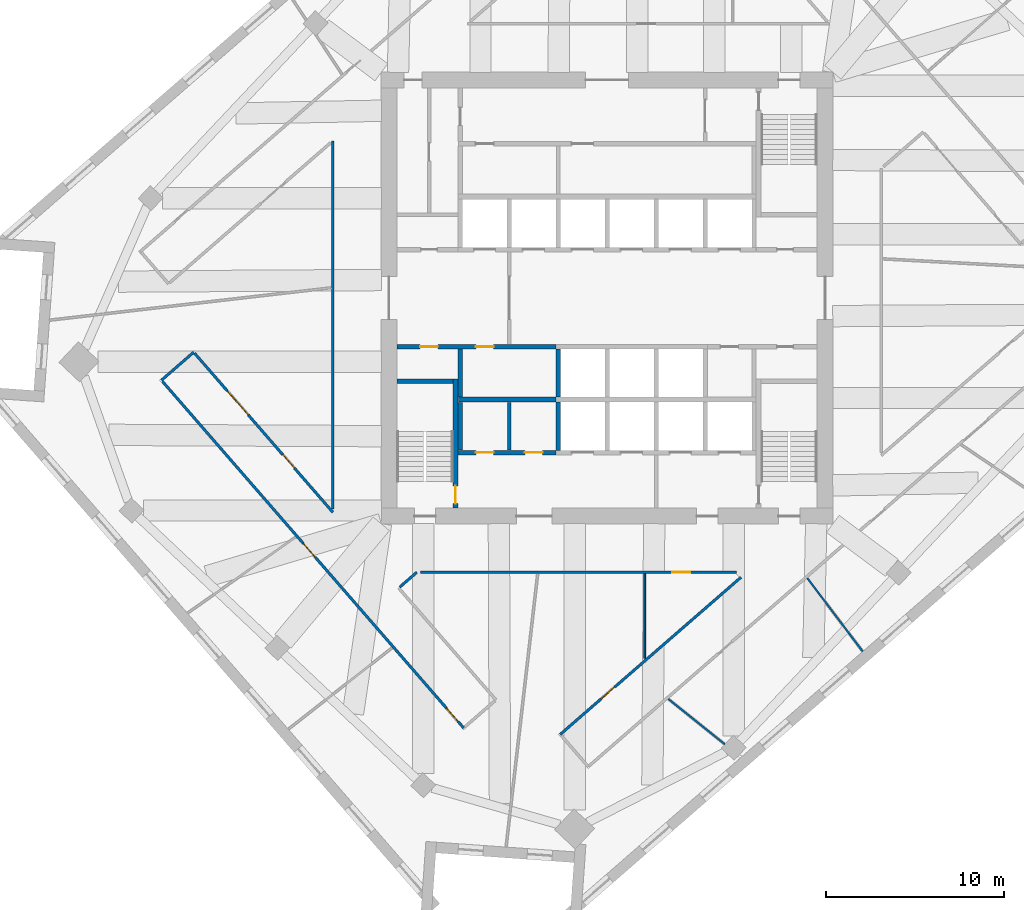
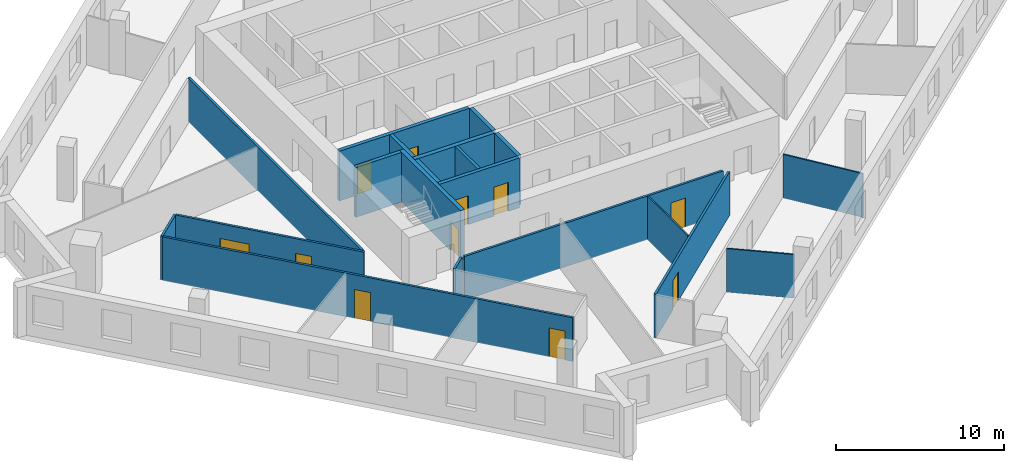
# One storey, part 4 of 11: 20 walls, 11 doors, 11 openings.
"""IFC4 building model written with IfcOpenShell, lengths in metres."""

from ifc_helpers import new_model, si_unit, direction, frame, frame_2d, origin, place, context, subcontext, project, spatial, rectangle, extrude, material, layer, layer_set, type_object, element, fill, save


model = new_model("IFC4")

# Units and contexts
model_context = context("Model", 3, precision=1e-05, world=origin(), true_north=direction((0.0, 1.0)))
body_context = subcontext(model_context, "Body", "Model", "MODEL_VIEW")
ifc_project = project(units=[si_unit("LENGTHUNIT", "METRE"), si_unit("AREAUNIT", "SQUARE_METRE"), si_unit("VOLUMEUNIT", "CUBIC_METRE"), si_unit("PLANEANGLEUNIT", "RADIAN"), si_unit("MASSUNIT", "GRAM", prefix="KILO")], contexts=[model_context])

# Site, building, storey
site_placement = place(None, origin())
site = spatial("IfcSite", under=ifc_project, at=site_placement, CompositionType="ELEMENT")
building_placement = place(site_placement, origin())
building = spatial("IfcBuilding", under=site, at=building_placement, Name="Dilmun Exchange Tower", CompositionType="ELEMENT")
storey_placement = place(building_placement, frame((0.0, 0.0, 193.300048828125)))
storey = spatial("IfcBuildingStorey", under=building, at=storey_placement, Name="L45", CompositionType="ELEMENT", Elevation=193.300048828125)

# Wall
ifc_material_1 = material(Name="Concrete C40/50", Category="concrete")
ifc_layer_1 = layer(ifc_material_1, 0.199951171875)
ifc_layer_set_1 = layer_set([ifc_layer_1], Name="Concrete C40/50")
wall_type_1 = type_object("IfcWallType", Name="Core partition wall 200", PredefinedType="PARTITIONING", material=ifc_layer_set_1)
wall_1_placement = place(storey_placement, frame((-5.5, -8.544921875, 0.0), z_axis=(0.0, 0.0, 1.0), x_axis=(0.0, 1.0, 0.0)))
element("IfcWall", 1, at=wall_1_placement, inside=storey, type_object=wall_type_1, Name="L45 core partition wall 04", PredefinedType="PARTITIONING", context=body_context, shape_type="SweptSolid", body=[
    extrude(rectangle(XDim=2.68994140625, YDim=0.199951171875, at=frame_2d((1.344970703125, 0.0))), origin(), (0.0, 0.0, 1.0), 3.619873046875),
])

# Wall, openings, doors
ifc_layer_2 = layer(ifc_material_1, 0.25)
ifc_layer_set_2 = layer_set([ifc_layer_2], Name="Concrete C40/50")
wall_type_2 = type_object("IfcWallType", Name="Core partition wall 250", PredefinedType="PARTITIONING", material=ifc_layer_set_2)
wall_2_placement = place(storey_placement, frame((-8.3701171875, -8.675048828125, 0.0), z_axis=(0.0, 0.0, 1.0), x_axis=(1.0, 0.0, 0.0)))
wall_2 = element("IfcWall", 2, at=wall_2_placement, inside=storey, type_object=wall_type_2, Name="L45 core partition wall 02", PredefinedType="PARTITIONING", context=body_context, shape_type="SweptSolid", body=[
    extrude(rectangle(XDim=5.490234375, YDim=0.25, at=frame_2d((2.7451171875, 0.0))), origin(), (0.0, 0.0, 1.0), 3.619873046875),
])
opening_1_placement = place(wall_2_placement, frame((0.9951171875, 0.0, 0.0)))
opening_1 = element("IfcOpeningElement", 3, at=opening_1_placement, cuts=wall_2, Name="Opening CD4", PredefinedType="OPENING", context=body_context, shape_type="SweptSolid", body=[
    extrude(rectangle(XDim=1.0, YDim=2.10009765625, at=frame_2d((0.5, 1.050048828125))), frame((0.0, 0.135009765625, 0.0), z_axis=(0.0, -1.0, 0.0), x_axis=(1.0, 0.0, 0.0)), (0.0, 0.0, 1.0), 0.27001953125),
])
opening_2_placement = place(wall_2_placement, frame((3.7451171875, 0.0, 0.0)))
opening_2 = element("IfcOpeningElement", 4, at=opening_2_placement, cuts=wall_2, Name="Opening CD4", PredefinedType="OPENING", context=body_context, shape_type="SweptSolid", body=[
    extrude(rectangle(XDim=1.0, YDim=2.10009765625, at=frame_2d((0.5, 1.050048828125))), frame((0.0, 0.135009765625, 0.0), z_axis=(0.0, -1.0, 0.0), x_axis=(1.0, 0.0, 0.0)), (0.0, 0.0, 1.0), 0.27001953125),
])
ifc_material_2 = material(Name="Fire-rated steel door set", Category="steel")
door_type_1 = type_object("IfcDoorType", Name="Core room door 1000x2100", OperationType="SINGLE_SWING_LEFT", PredefinedType="DOOR", material=ifc_material_2)
door_1_placement = place(opening_1_placement, origin())
door_1 = element("IfcDoor", 5, at=door_1_placement, inside=storey, type_object=door_type_1, Name="L45 door Male WC", OperationType="SINGLE_SWING_RIGHT", OverallHeight=2.10009765625, OverallWidth=1.0, PredefinedType="DOOR", context=body_context, shape_type="SweptSolid", body=[
    extrude(rectangle(XDim=1.0, YDim=2.10009765625, at=frame_2d((0.5, 1.050048828125))), frame((0.0, 0.02490234375, 0.0), z_axis=(0.0, -1.0, 0.0), x_axis=(1.0, 0.0, 0.0)), (0.0, 0.0, 1.0), 0.050048828125),
])
fill(opening_1, door_1)
door_2_placement = place(opening_2_placement, origin())
door_2 = element("IfcDoor", 6, at=door_2_placement, inside=storey, type_object=door_type_1, Name="L45 door Female WC", OperationType="SINGLE_SWING_RIGHT", OverallHeight=2.10009765625, OverallWidth=1.0, PredefinedType="DOOR", context=body_context, shape_type="SweptSolid", body=[
    extrude(rectangle(XDim=1.0, YDim=2.10009765625, at=frame_2d((0.5, 1.050048828125))), frame((0.0, 0.02490234375, 0.0), z_axis=(0.0, -1.0, 0.0), x_axis=(1.0, 0.0, 0.0)), (0.0, 0.0, 1.0), 0.050048828125),
])
fill(opening_2, door_2)

# Walls
for number, where, z_axis, x_axis, name in (
    (7, (-8.25, -8.544921875, 0.0), (0.0, 0.0, 1.0), (0.0, 1.0, 0.0), "L45 core partition wall 03"),
    (8, (-8.25, -5.544921875, 0.0), (0.0, 0.0, 1.0), (0.0, 1.0, 0.0), "L45 core partition wall 06"),
):
    element("IfcWall", number, at=place(storey_placement, frame(where, z_axis=z_axis, x_axis=x_axis)), inside=storey, type_object=wall_type_2, Name=name, PredefinedType="PARTITIONING", context=body_context, shape_type="SweptSolid", body=[
        extrude(rectangle(XDim=2.68994140625, YDim=0.25, at=frame_2d((1.344970703125, 0.0))), origin(), (0.0, 0.0, 1.0), 3.619873046875),
    ])

# Wall, openings, doors
wall_3_placement = place(storey_placement, frame((-11.794921875, -2.72509765625, 0.0), z_axis=(0.0, 0.0, 1.0), x_axis=(1.0, 0.0, 0.0)))
wall_3 = element("IfcWall", 9, at=wall_3_placement, inside=storey, type_object=wall_type_2, Name="L45 core partition wall 08", PredefinedType="PARTITIONING", context=body_context, shape_type="SweptSolid", body=[
    extrude(rectangle(XDim=8.9150390625, YDim=0.25, at=frame_2d((4.45751953125, 0.0))), origin(), (0.0, 0.0, 1.0), 3.619873046875),
])
opening_3_placement = place(wall_3_placement, frame((1.294921875, 0.0, 0.0)))
opening_3 = element("IfcOpeningElement", 10, at=opening_3_placement, cuts=wall_3, Name="Opening CD4", PredefinedType="OPENING", context=body_context, shape_type="SweptSolid", body=[
    extrude(rectangle(XDim=1.0, YDim=2.10009765625, at=frame_2d((0.5, 1.050048828125))), frame((0.0, 0.135009765625, 0.0), z_axis=(0.0, -1.0, 0.0), x_axis=(1.0, 0.0, 0.0)), (0.0, 0.0, 1.0), 0.27001953125),
])
opening_4_placement = place(wall_3_placement, frame((4.419921875, 0.0, 0.0)))
opening_4 = element("IfcOpeningElement", 11, at=opening_4_placement, cuts=wall_3, Name="Opening CD4", PredefinedType="OPENING", context=body_context, shape_type="SweptSolid", body=[
    extrude(rectangle(XDim=1.0, YDim=2.10009765625, at=frame_2d((0.5, 1.050048828125))), frame((0.0, 0.135009765625, 0.0), z_axis=(0.0, -1.0, 0.0), x_axis=(1.0, 0.0, 0.0)), (0.0, 0.0, 1.0), 0.27001953125),
])
door_3_placement = place(opening_3_placement, origin())
door_3 = element("IfcDoor", 12, at=door_3_placement, inside=storey, type_object=door_type_1, Name="L45 door Accessible WC", OperationType="SINGLE_SWING_RIGHT", OverallHeight=2.10009765625, OverallWidth=1.0, PredefinedType="DOOR", context=body_context, shape_type="SweptSolid", body=[
    extrude(rectangle(XDim=1.0, YDim=2.10009765625, at=frame_2d((0.5, 1.050048828125))), frame((0.0, 0.02490234375, 0.0), z_axis=(0.0, -1.0, 0.0), x_axis=(1.0, 0.0, 0.0)), (0.0, 0.0, 1.0), 0.050048828125),
])
fill(opening_3, door_3)
door_4_placement = place(opening_4_placement, origin())
door_4 = element("IfcDoor", 13, at=door_4_placement, inside=storey, type_object=door_type_1, Name="L45 door Switch room", OperationType="SINGLE_SWING_RIGHT", OverallHeight=2.10009765625, OverallWidth=1.0, PredefinedType="DOOR", context=body_context, shape_type="SweptSolid", body=[
    extrude(rectangle(XDim=1.0, YDim=2.10009765625, at=frame_2d((0.5, 1.050048828125))), frame((0.0, 0.02490234375, 0.0), z_axis=(0.0, -1.0, 0.0), x_axis=(1.0, 0.0, 0.0)), (0.0, 0.0, 1.0), 0.050048828125),
])
fill(opening_4, door_4)

# Walls
ifc_layer_3 = layer(ifc_material_1, 0.300048828125)
ifc_layer_set_3 = layer_set([ifc_layer_3], Name="Concrete C40/50")
wall_type_3 = type_object("IfcWallType", Name="Core partition wall 300", PredefinedType="PARTITIONING", material=ifc_layer_set_3)
wall_4_placement = place(storey_placement, frame((-8.35009765625, -5.699951171875, 0.0), z_axis=(0.0, 0.0, 1.0), x_axis=(1.0, 0.0, 0.0)))
element("IfcWall", 14, at=wall_4_placement, inside=storey, type_object=wall_type_3, Name="L45 core partition wall 05", PredefinedType="PARTITIONING", context=body_context, shape_type="SweptSolid", body=[
    extrude(rectangle(XDim=5.47021484375, YDim=0.300048828125, at=frame_2d((2.735107421875, 0.0))), origin(), (0.0, 0.0, 1.0), 3.619873046875),
])
ifc_material_3 = material(Name="Corridor wall 150")
ifc_layer_4 = layer(ifc_material_3, 0.14990234375)
ifc_layer_set_4 = layer_set([ifc_layer_4], Name="Corridor wall 150")
wall_type_4 = type_object("IfcWallType", Name="Corridor wall 150", PredefinedType="PARTITIONING", material=ifc_layer_set_4)
wall_5_placement = place(storey_placement, frame((-25.029052734375, -4.615966796875, 0.0), z_axis=(0.0, 0.0, 1.0), x_axis=(0.75457705231, 0.656211453822, 0.0)))
element("IfcWall", 15, at=wall_5_placement, inside=storey, type_object=wall_type_4, Name="Corridor wall", PredefinedType="PARTITIONING", context=body_context, shape_type="SweptSolid", body=[
    extrude(rectangle(XDim=2.400146484375, YDim=0.14990234375, at=frame_2d((1.2001953125, 0.0))), origin(), (0.0, 0.0, 1.0), 3.169921875),
])

# Wall, openings, doors
wall_6_placement = place(storey_placement, frame((-24.979736328125, -4.672607421875, 0.0), z_axis=(0.0, 0.0, 1.0), x_axis=(0.656048444225, -0.754718781289, 0.0)))
wall_6 = element("IfcWall", 16, at=wall_6_placement, inside=storey, type_object=wall_type_4, Name="Corridor wall", PredefinedType="PARTITIONING", context=body_context, shape_type="SweptSolid", body=[
    extrude(rectangle(XDim=25.799560546875, YDim=0.14990234375, at=frame_2d((12.89990234375, 0.0))), origin(), (0.0, 0.0, 1.0), 3.169921875),
])
opening_5_placement = place(wall_6_placement, frame((12.07080078125, 0.0, 0.0)))
opening_5 = element("IfcOpeningElement", 17, at=opening_5_placement, cuts=wall_6, Name="Opening TF44-D05", PredefinedType="OPENING", context=body_context, shape_type="SweptSolid", body=[
    extrude(rectangle(XDim=1.0, YDim=2.10009765625, at=frame_2d((0.5, 1.050048828125))), frame((0.0, 0.0849609375, 0.0), z_axis=(0.0, -1.0, 0.0), x_axis=(1.0, 0.0, 0.0)), (0.0, 0.0, 1.0), 0.169921875),
])
opening_6_placement = place(wall_6_placement, frame((24.31787109375, 0.0, 0.0)))
opening_6 = element("IfcOpeningElement", 18, at=opening_6_placement, cuts=wall_6, Name="Opening TF44-D07", PredefinedType="OPENING", context=body_context, shape_type="SweptSolid", body=[
    extrude(rectangle(XDim=1.0, YDim=2.10009765625, at=frame_2d((0.5, 1.050048828125))), frame((0.0, 0.0849609375, 0.0), z_axis=(0.0, -1.0, 0.0), x_axis=(1.0, 0.0, 0.0)), (0.0, 0.0, 1.0), 0.169921875),
])
ifc_material_4 = material(Name="Fire door 1000 x 2100")
door_type_2 = type_object("IfcDoorType", Name="Fire door 1000 x 2100", OperationType="NOTDEFINED", PredefinedType="DOOR", material=ifc_material_4)
door_5_placement = place(opening_5_placement, frame((1.0, 0.0, 0.0), z_axis=(0.0, 0.0, 1.0), x_axis=(-1.0, 0.0, 0.0)))
door_5 = element("IfcDoor", 19, at=door_5_placement, inside=storey, type_object=door_type_2, Name="Door TF44-D05", OperationType="SINGLE_SWING_LEFT", OverallHeight=2.10009765625, OverallWidth=1.0, PredefinedType="DOOR", context=body_context, shape_type="SweptSolid", body=[
    extrude(rectangle(XDim=1.0, YDim=2.10009765625, at=frame_2d((0.5, 1.050048828125))), frame((0.0, 0.02490234375, 0.0), z_axis=(0.0, -1.0, 0.0), x_axis=(1.0, 0.0, 0.0)), (0.0, 0.0, 1.0), 0.050048828125),
])
fill(opening_5, door_5)
door_6_placement = place(opening_6_placement, frame((1.0, 0.0, 0.0), z_axis=(0.0, 0.0, 1.0), x_axis=(-1.0, 0.0, 0.0)))
door_6 = element("IfcDoor", 20, at=door_6_placement, inside=storey, type_object=door_type_2, Name="Door TF44-D07", OperationType="SINGLE_SWING_LEFT", OverallHeight=2.10009765625, OverallWidth=1.0, PredefinedType="DOOR", context=body_context, shape_type="SweptSolid", body=[
    extrude(rectangle(XDim=1.0, YDim=2.10009765625, at=frame_2d((0.5, 1.050048828125))), frame((0.0, 0.02490234375, 0.0), z_axis=(0.0, -1.0, 0.0), x_axis=(1.0, 0.0, 0.0)), (0.0, 0.0, 1.0), 0.050048828125),
])
fill(opening_6, door_6)

wall_7_placement = place(storey_placement, frame((-23.168701171875, -3.09765625, 0.0), z_axis=(0.0, 0.0, 1.0), x_axis=(0.656047525283, -0.754719580089, 0.0)))
wall_7 = element("IfcWall", 21, at=wall_7_placement, inside=storey, type_object=wall_type_4, Name="Corridor wall", PredefinedType="PARTITIONING", context=body_context, shape_type="SweptSolid", body=[
    extrude(rectangle(XDim=11.841796875, YDim=0.14990234375, at=frame_2d((5.9208984375, 0.0))), origin(), (0.0, 0.0, 1.0), 3.169921875),
])
opening_7_placement = place(wall_7_placement, frame((2.800048828125, 0.0, 0.0)))
opening_7 = element("IfcOpeningElement", 22, at=opening_7_placement, cuts=wall_7, Name="Opening TF44-D01", PredefinedType="OPENING", context=body_context, shape_type="SweptSolid", body=[
    extrude(rectangle(XDim=1.800048828125, YDim=2.10009765625, at=frame_2d((0.89990234375, 1.050048828125))), frame((0.0, 0.0849609375, 0.0), z_axis=(0.0, -1.0, 0.0), x_axis=(1.0, 0.0, 0.0)), (0.0, 0.0, 1.0), 0.169921875),
])
opening_8_placement = place(wall_7_placement, frame((7.550048828125, 0.0, 0.0)))
opening_8 = element("IfcOpeningElement", 23, at=opening_8_placement, cuts=wall_7, Name="Opening TF44-D02", PredefinedType="OPENING", context=body_context, shape_type="SweptSolid", body=[
    extrude(rectangle(XDim=1.0, YDim=2.10009765625, at=frame_2d((0.5, 1.050048828125))), frame((0.0, 0.0849609375, 0.0), z_axis=(0.0, -1.0, 0.0), x_axis=(1.0, 0.0, 0.0)), (0.0, 0.0, 1.0), 0.169921875),
])
door_7_placement = place(opening_8_placement, origin())
door_7 = element("IfcDoor", 24, at=door_7_placement, inside=storey, type_object=door_type_2, Name="Door TF44-D02", OperationType="SINGLE_SWING_RIGHT", OverallHeight=2.10009765625, OverallWidth=1.0, PredefinedType="DOOR", context=body_context, shape_type="SweptSolid", body=[
    extrude(rectangle(XDim=1.0, YDim=2.10009765625, at=frame_2d((0.5, 1.050048828125))), frame((0.0, 0.02490234375, 0.0), z_axis=(0.0, -1.0, 0.0), x_axis=(1.0, 0.0, 0.0)), (0.0, 0.0, 1.0), 0.050048828125),
])
fill(opening_8, door_7)
ifc_material_5 = material(Name="Fire door pair 1800 x 2100")
door_type_3 = type_object("IfcDoorType", Name="Fire door pair 1800 x 2100", OperationType="NOTDEFINED", PredefinedType="DOOR", material=ifc_material_5)
door_8_placement = place(opening_7_placement, origin())
door_8 = element("IfcDoor", 25, at=door_8_placement, inside=storey, type_object=door_type_3, Name="Door TF44-D01", OperationType="DOUBLE_DOOR_SINGLE_SWING", OverallHeight=2.10009765625, OverallWidth=1.800048828125, PredefinedType="DOOR", context=body_context, shape_type="SweptSolid", body=[
    extrude(rectangle(XDim=1.800048828125, YDim=2.10009765625, at=frame_2d((0.89990234375, 1.050048828125))), frame((0.0, 0.02490234375, 0.0), z_axis=(0.0, -1.0, 0.0), x_axis=(1.0, 0.0, 0.0)), (0.0, 0.0, 1.0), 0.050048828125),
])
fill(opening_7, door_8)

# Walls
wall_8_placement = place(storey_placement, frame((-15.39990234375, -11.83447265625, 0.0), z_axis=(0.0, 0.0, 1.0), x_axis=(0.0, 1.0, 0.0)))
element("IfcWall", 26, at=wall_8_placement, inside=storey, type_object=wall_type_4, Name="Corridor wall", PredefinedType="PARTITIONING", context=body_context, shape_type="SweptSolid", body=[
    extrude(rectangle(XDim=20.66552734375, YDim=0.14990234375, at=frame_2d((10.332763671875, 0.0))), origin(), (0.0, 0.0, 1.0), 3.169921875),
])
wall_9_placement = place(storey_placement, frame((-11.6484375, -16.23583984375, 0.0), z_axis=(0.0, 0.0, 1.0), x_axis=(0.754638525281, 0.656140759412, 0.0)))
element("IfcWall", 27, at=wall_9_placement, inside=storey, type_object=wall_type_4, Name="Corridor wall", PredefinedType="PARTITIONING", context=body_context, shape_type="SweptSolid", body=[
    extrude(rectangle(XDim=1.27392578125, YDim=0.14990234375, at=frame_2d((0.636962890625, 0.0))), origin(), (0.0, 0.0, 1.0), 3.169921875),
])

# Wall, opening, door
wall_10_placement = place(storey_placement, frame((-10.486328125, -15.39990234375, 0.0), z_axis=(0.0, 0.0, 1.0), x_axis=(1.0, 0.0, 0.0)))
wall_10 = element("IfcWall", 28, at=wall_10_placement, inside=storey, type_object=wall_type_4, Name="Corridor wall", PredefinedType="PARTITIONING", context=body_context, shape_type="SweptSolid", body=[
    extrude(rectangle(XDim=17.763427734375, YDim=0.14990234375, at=frame_2d((8.8818359375, 0.0))), origin(), (0.0, 0.0, 1.0), 3.169921875),
])
opening_9_placement = place(wall_10_placement, frame((14.154052734375, 0.0, 0.0)))
opening_9 = element("IfcOpeningElement", 29, at=opening_9_placement, cuts=wall_10, Name="Opening TF44-D09", PredefinedType="OPENING", context=body_context, shape_type="SweptSolid", body=[
    extrude(rectangle(XDim=1.0, YDim=2.10009765625, at=frame_2d((0.5, 1.050048828125))), frame((0.0, 0.0849609375, 0.0), z_axis=(0.0, -1.0, 0.0), x_axis=(1.0, 0.0, 0.0)), (0.0, 0.0, 1.0), 0.169921875),
])
door_9_placement = place(opening_9_placement, frame((1.0, 0.0, 0.0), z_axis=(0.0, 0.0, 1.0), x_axis=(-1.0, 0.0, 0.0)))
door_9 = element("IfcDoor", 30, at=door_9_placement, inside=storey, type_object=door_type_2, Name="Door TF44-D09", OperationType="SINGLE_SWING_LEFT", OverallHeight=2.10009765625, OverallWidth=1.0, PredefinedType="DOOR", context=body_context, shape_type="SweptSolid", body=[
    extrude(rectangle(XDim=1.0, YDim=2.10009765625, at=frame_2d((0.5, 1.050048828125))), frame((0.0, 0.02490234375, 0.0), z_axis=(0.0, -1.0, 0.0), x_axis=(1.0, 0.0, 0.0)), (0.0, 0.0, 1.0), 0.050048828125),
])
fill(opening_9, door_9)

wall_11_placement = place(storey_placement, frame((-2.631103515625, -24.5048828125, 0.0), z_axis=(0.0, 0.0, 1.0), x_axis=(0.754714526528, 0.656053338874, 0.0)))
wall_11 = element("IfcWall", 31, at=wall_11_placement, inside=storey, type_object=wall_type_4, Name="Corridor wall", PredefinedType="PARTITIONING", context=body_context, shape_type="SweptSolid", body=[
    extrude(rectangle(XDim=13.45166015625, YDim=0.14990234375, at=frame_2d((6.725830078125, 0.0))), origin(), (0.0, 0.0, 1.0), 3.169921875),
])
opening_10_placement = place(wall_11_placement, frame((3.050048828125, 0.0, 0.0)))
opening_10 = element("IfcOpeningElement", 32, at=opening_10_placement, cuts=wall_11, Name="Opening TF44-D08", PredefinedType="OPENING", context=body_context, shape_type="SweptSolid", body=[
    extrude(rectangle(XDim=1.0, YDim=2.10009765625, at=frame_2d((0.5, 1.050048828125))), frame((0.0, 0.0849609375, 0.0), z_axis=(0.0, -1.0, 0.0), x_axis=(1.0, 0.0, 0.0)), (0.0, 0.0, 1.0), 0.169921875),
])
door_10_placement = place(opening_10_placement, origin())
door_10 = element("IfcDoor", 33, at=door_10_placement, inside=storey, type_object=door_type_2, Name="Door TF44-D08", OperationType="SINGLE_SWING_RIGHT", OverallHeight=2.10009765625, OverallWidth=1.0, PredefinedType="DOOR", context=body_context, shape_type="SweptSolid", body=[
    extrude(rectangle(XDim=1.0, YDim=2.10009765625, at=frame_2d((0.5, 1.050048828125))), frame((0.0, 0.02490234375, 0.0), z_axis=(0.0, -1.0, 0.0), x_axis=(1.0, 0.0, 0.0)), (0.0, 0.0, 1.0), 0.050048828125),
])
fill(opening_10, door_10)

# Walls
ifc_layer_5 = layer(ifc_material_1, 0.25)
ifc_layer_set_5 = layer_set([ifc_layer_5], Name="Concrete C40/50")
wall_type_5 = type_object("IfcWallType", Name="Lift shaft wall 250", PredefinedType="SOLIDWALL", material=ifc_layer_set_5)
for number, where, z_axis, x_axis, name in (
    (34, (-2.75, -5.550048828125, 0.0), (0.0, 0.0, 1.0), (0.0, 1.0, 0.0), "L45 lift shaft divider S12"),
    (35, (-2.75, -8.550048828125, 0.0), (0.0, 0.0, 1.0), (0.0, 1.0, 0.0), "L45 lift shaft divider S22"),
):
    element("IfcWall", number, at=place(storey_placement, frame(where, z_axis=z_axis, x_axis=x_axis)), inside=storey, type_object=wall_type_5, Name=name, PredefinedType="SOLIDWALL", context=body_context, shape_type="SweptSolid", body=[
        extrude(rectangle(XDim=2.699951171875, YDim=0.25, at=frame_2d((1.35009765625, 0.0))), origin(), (0.0, 0.0, 1.0), 3.619873046875),
    ])
ifc_material_6 = material(Name="Partition 100")
ifc_layer_6 = layer(ifc_material_6, 0.10009765625)
ifc_layer_set_6 = layer_set([ifc_layer_6], Name="Partition 100")
wall_type_6 = type_object("IfcWallType", Name="Partition 100", PredefinedType="PARTITIONING", material=ifc_layer_set_6)
wall_12_placement = place(storey_placement, frame((2.117919921875, -20.234130859375, 0.0), z_axis=(0.0, 0.0, 1.0), x_axis=(0.0, 1.0, 0.0)))
element("IfcWall", 36, at=wall_12_placement, inside=storey, type_object=wall_type_6, Name="Partition", PredefinedType="PARTITIONING", context=body_context, shape_type="SweptSolid", body=[
    extrude(rectangle(XDim=4.759033203125, YDim=0.10009765625, at=frame_2d((2.37939453125, 0.0))), origin(), (0.0, 0.0, 1.0), 3.169921875),
])
wall_13_placement = place(storey_placement, frame((3.44140625, -22.517333984375, 0.0), z_axis=(0.0, 0.0, 1.0), x_axis=(0.780129784841, -0.62561770979, 0.0)))
element("IfcWall", 37, at=wall_13_placement, inside=storey, type_object=wall_type_6, Name="Partition", PredefinedType="PARTITIONING", context=body_context, shape_type="SweptSolid", body=[
    extrude(rectangle(XDim=4.06396484375, YDim=0.10009765625, at=frame_2d((2.031982421875, 0.0))), origin(), (0.0, 0.0, 1.0), 3.169921875),
])
wall_14_placement = place(storey_placement, frame((11.243408203125, -15.728759765625, 0.0), z_axis=(0.0, 0.0, 1.0), x_axis=(0.602848474471, -0.797855699251, 0.0)))
element("IfcWall", 38, at=wall_14_placement, inside=storey, type_object=wall_type_6, Name="Partition", PredefinedType="PARTITIONING", context=body_context, shape_type="SweptSolid", body=[
    extrude(rectangle(XDim=5.1630859375, YDim=0.10009765625, at=frame_2d((2.58154296875, 0.0))), origin(), (0.0, 0.0, 1.0), 3.169921875),
])
ifc_layer_7 = layer(ifc_material_1, 0.25)
ifc_layer_set_7 = layer_set([ifc_layer_7], Name="Concrete C40/50")
wall_type_7 = type_object("IfcWallType", Name="Stair end wall 250", PredefinedType="SOLIDWALL", material=ifc_layer_set_7)
wall_15_placement = place(storey_placement, frame((-8.64990234375, -4.675048828125, 0.0), z_axis=(0.0, 0.0, 1.0), x_axis=(-1.0, 0.0, 0.0)))
element("IfcWall", 39, at=wall_15_placement, inside=storey, type_object=wall_type_7, Name="L45 ST2 far wall", PredefinedType="SOLIDWALL", context=body_context, shape_type="SweptSolid", body=[
    extrude(rectangle(XDim=3.150146484375, YDim=0.25, at=frame_2d((1.5751953125, 0.0))), origin(), (0.0, 0.0, 1.0), 3.619873046875),
])

# Wall, opening, door
ifc_layer_8 = layer(ifc_material_1, 0.27490234375)
ifc_layer_set_8 = layer_set([ifc_layer_8], Name="Concrete C40/50")
wall_type_8 = type_object("IfcWallType", Name="Stair wall 275", PredefinedType="SOLIDWALL", material=ifc_layer_set_8)
wall_16_placement = place(storey_placement, frame((-8.512451171875, -4.550048828125, 0.0), z_axis=(0.0, 0.0, 1.0), x_axis=(0.0, -1.0, 0.0)))
wall_16 = element("IfcWall", 40, at=wall_16_placement, inside=storey, type_object=wall_type_8, Name="L45 ST2 wall to lift block", PredefinedType="SOLIDWALL", context=body_context, shape_type="SweptSolid", body=[
    extrude(rectangle(XDim=7.25, YDim=0.27490234375, at=frame_2d((3.625, 0.0))), origin(), (0.0, 0.0, 1.0), 3.619873046875),
])
opening_11_placement = place(wall_16_placement, frame((6.0, 0.0, 0.0)))
opening_11 = element("IfcOpeningElement", 41, at=opening_11_placement, cuts=wall_16, Name="Opening CD4", PredefinedType="OPENING", context=body_context, shape_type="SweptSolid", body=[
    extrude(rectangle(XDim=1.0, YDim=2.10009765625, at=frame_2d((0.5, 1.050048828125))), frame((0.0, 0.1474609375, 0.0), z_axis=(0.0, -1.0, 0.0), x_axis=(1.0, 0.0, 0.0)), (0.0, 0.0, 1.0), 0.294921875),
])
door_11_placement = place(opening_11_placement, origin())
door_11 = element("IfcDoor", 42, at=door_11_placement, inside=storey, type_object=door_type_1, Name="L45 door ST2 from lobby", OperationType="SINGLE_SWING_LEFT", OverallHeight=2.10009765625, OverallWidth=1.0, PredefinedType="DOOR", context=body_context, shape_type="SweptSolid", body=[
    extrude(rectangle(XDim=1.0, YDim=2.10009765625, at=frame_2d((0.5, 1.050048828125))), frame((0.0, 0.02490234375, 0.0), z_axis=(0.0, -1.0, 0.0), x_axis=(1.0, 0.0, 0.0)), (0.0, 0.0, 1.0), 0.050048828125),
])
fill(opening_11, door_11)

save(model, "model.ifc")
